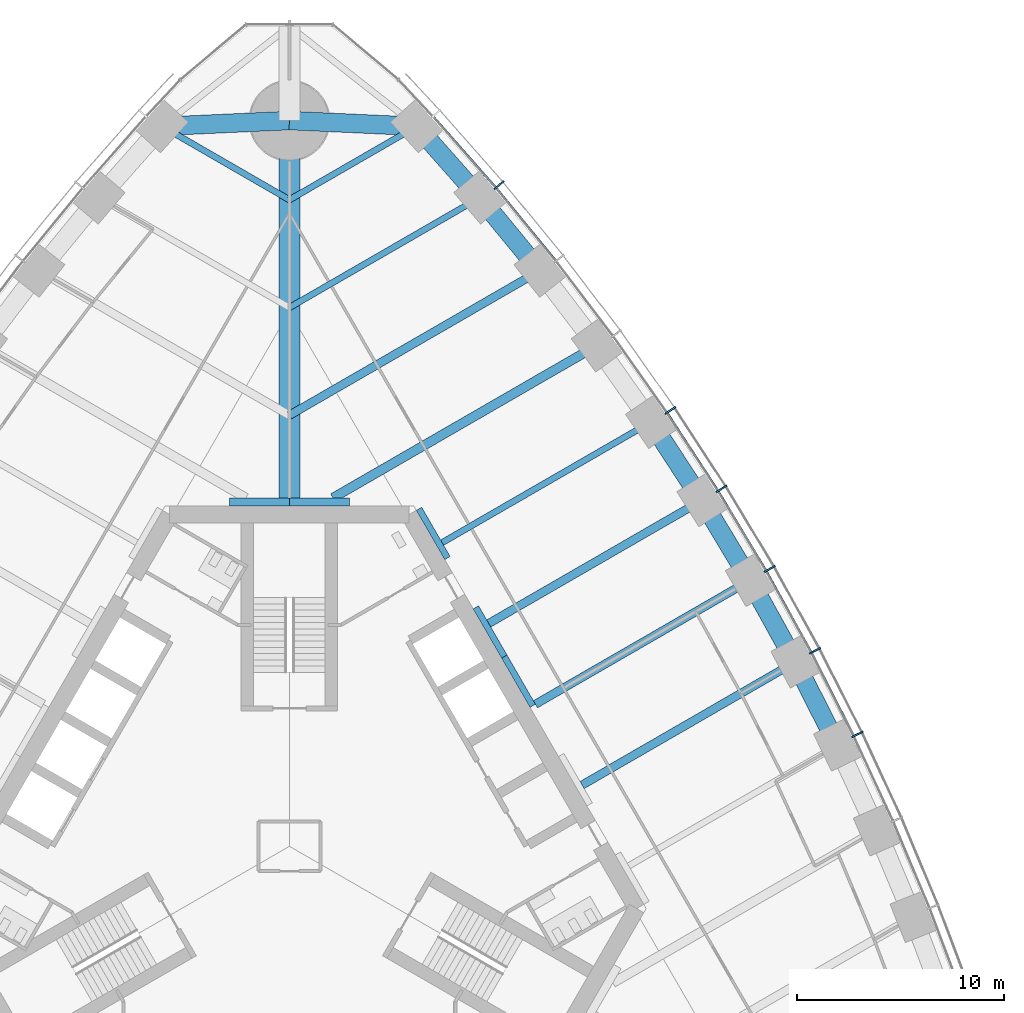
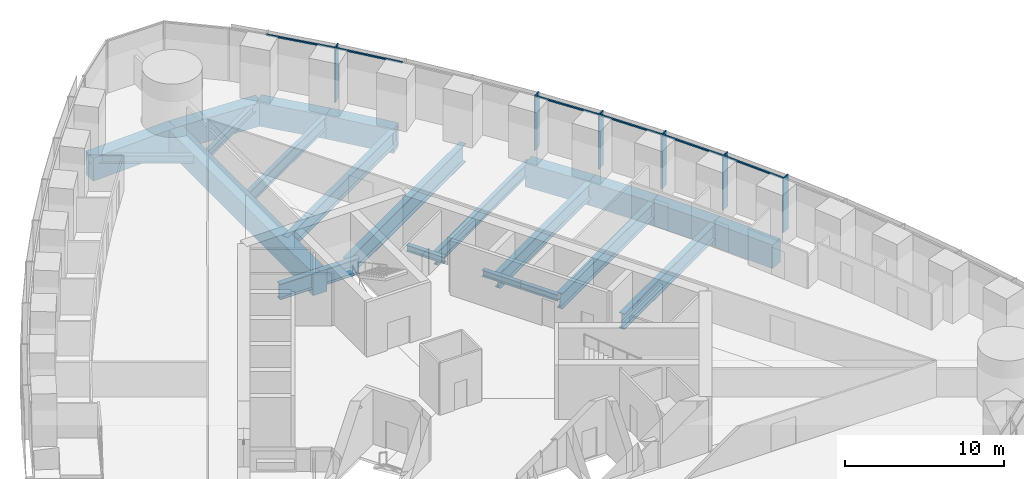
# One storey, part 5 of 18: 23 beams, 12 members, 1 element without a shape of its own.
"""IFC4 building model written with IfcOpenShell, lengths in metres."""

import ifcopenshell
import ifcopenshell.guid

model = None  # the IFC model being written
_history = None  # IfcOwnerHistory: only IFC2X3 demands one
_inside = {}  # id of a spatial element -> (the spatial element, [elements in it])
_under = {}  # id of a project, library or spatial element -> (it, [spatial elements below it])
_declared = {}  # id of a project -> (the project, [libraries it declares])
_typed = {}  # id of a type object -> (the type object, [elements of that type])
_made_of = {}  # id of a material, layer set ... -> (it, [elements and type objects made of it])


def new_model(schema):
    """Start an empty IFC model of exactly this schema.

    Asked for "IFC4X3", IfcOpenShell would pick the latest addendum, in which some entities
    have other attributes; the version numbers below select the first issue.
    IFC2X3 requires an IfcOwnerHistory on every rooted entity: one is made here for all.
    """
    global model, _history
    if schema == "IFC4X3":
        model = ifcopenshell.file(schema_version=(4, 3, 0, 0))
    else:
        model = ifcopenshell.file(schema=schema)
    _inside.clear()
    _under.clear()
    _declared.clear()
    _typed.clear()
    _made_of.clear()
    _history = None
    if model.schema == "IFC2X3":
        org = make("IfcOrganization", Name="unknown")
        user = make(
            "IfcPersonAndOrganization",
            ThePerson=make("IfcPerson", FamilyName="unknown"),
            TheOrganization=org,
        )
        app = make(
            "IfcApplication",
            ApplicationDeveloper=org,
            Version="unknown",
            ApplicationFullName="unknown",
            ApplicationIdentifier="unknown",
        )
        _history = make(
            "IfcOwnerHistory",
            OwningUser=user,
            OwningApplication=app,
            ChangeAction="ADDED",
            CreationDate=0,
        )
    return model


def make(cls, **values):
    """One entity of the class cls with the attributes given. An attribute that is None is left unset."""
    return model.create_entity(
        cls, **{name: value for name, value in values.items() if value is not None}
    )


def rooted(cls, **values):
    """An entity with a GlobalId (a new one), such as an element, a storey or a relation."""
    return make(cls, GlobalId=ifcopenshell.guid.new(), OwnerHistory=_history, **values)


def si_unit(unit_type, name, prefix=None):
    """IfcSIUnit, for example si_unit("LENGTHUNIT", "METRE", prefix="MILLI")."""
    return make("IfcSIUnit", UnitType=unit_type, Prefix=prefix, Name=name)


def assignment(units):
    """IfcUnitAssignment: the units of a project."""
    return None if units is None else make("IfcUnitAssignment", Units=units)


def point(xyz):
    """IfcCartesianPoint."""
    return None if xyz is None else make("IfcCartesianPoint", Coordinates=xyz)


def direction(xyz):
    """IfcDirection."""
    return None if xyz is None else make("IfcDirection", DirectionRatios=xyz)


def frame(location, z_axis=None, x_axis=None):
    """IfcAxis2Placement3D, a coordinate frame: its origin and axes. An axis left out is left unset."""
    return make(
        "IfcAxis2Placement3D",
        Location=point(location),
        Axis=direction(z_axis),
        RefDirection=direction(x_axis),
    )


def frame_2d(location, x_axis=None):
    """IfcAxis2Placement2D, a coordinate frame in the plane: its origin and x axis."""
    return make(
        "IfcAxis2Placement2D", Location=point(location), RefDirection=direction(x_axis)
    )


def origin():
    """The frame at (0, 0, 0) with its axes left unset."""
    return frame((0.0, 0.0, 0.0))


def origin_2d():
    """The frame at (0, 0) in the plane with its x axis left unset."""
    return frame_2d((0.0, 0.0))


def place(relative_to, where):
    """IfcLocalPlacement: puts the frame where relative to a parent placement (None: the world)."""
    return make(
        "IfcLocalPlacement", PlacementRelTo=relative_to, RelativePlacement=where
    )


def context(
    kind, dimensions, precision=None, world=None, true_north=None, identifier=None
):
    """IfcGeometricRepresentationContext, for example the 3D "Model" context."""
    return make(
        "IfcGeometricRepresentationContext",
        ContextIdentifier=identifier,
        ContextType=kind,
        CoordinateSpaceDimension=dimensions,
        Precision=precision,
        WorldCoordinateSystem=world,
        TrueNorth=true_north,
    )


def subcontext(parent, identifier, kind, view, scale=None):
    """IfcGeometricRepresentationSubContext, for example "Body" below "Model"."""
    return make(
        "IfcGeometricRepresentationSubContext",
        ContextIdentifier=identifier,
        ContextType=kind,
        ParentContext=parent,
        TargetScale=scale,
        TargetView=view,
    )


def project(units=None, contexts=None):
    """IfcProject with its units and contexts."""
    return rooted(
        "IfcProject",
        Name="project",
        RepresentationContexts=contexts,
        UnitsInContext=assignment(units),
    )


def spatial(cls, under=None, at=None, **own):
    """A site, building, storey or space (cls), placed at a placement, below another one or the project."""
    s = rooted(cls, ObjectPlacement=at, **own)
    if under is not None:
        _under.setdefault(under.id(), (under, []))[1].append(s)
    return s


def profile(cls, at=None, kind="AREA", **sizes):
    """A parametric profile (cls). Its sizes go by their IFC names, for example OverallWidth=200.0."""
    return make(cls, ProfileType=kind, Position=at, **sizes)


def rectangle(**sizes):
    """IfcRectangleProfileDef."""
    return profile("IfcRectangleProfileDef", **sizes)


def i_section(**sizes):
    """IfcIShapeProfileDef."""
    return profile("IfcIShapeProfileDef", **sizes)


def extrude(swept, where, along, depth):
    """IfcExtrudedAreaSolid: the profile swept, set in the frame where, extruded along a direction by depth."""
    return make(
        "IfcExtrudedAreaSolid",
        SweptArea=swept,
        Position=where,
        ExtrudedDirection=direction(along),
        Depth=depth,
    )


def shape(context_of_items, identifier, shape_type, items):
    """IfcShapeRepresentation: the items that make up one representation, for example the "Body"."""
    return make(
        "IfcShapeRepresentation",
        ContextOfItems=context_of_items,
        RepresentationIdentifier=identifier,
        RepresentationType=shape_type,
        Items=items,
    )


def material(Name=None, Category=None):
    """IfcMaterial."""
    return make("IfcMaterial", Name=Name, Category=Category)


def material_profile(
    of_material, cross_section, Name=None, Category=None, Priority=None
):
    """IfcMaterialProfile: a cross section and its material."""
    return make(
        "IfcMaterialProfile",
        Name=Name,
        Material=of_material,
        Profile=cross_section,
        Priority=Priority,
        Category=Category,
    )


def profile_set(profiles, Name=None, composite=None):
    """IfcMaterialProfileSet."""
    return make(
        "IfcMaterialProfileSet",
        Name=Name,
        MaterialProfiles=profiles,
        CompositeProfile=composite,
    )


def made_of(thing, what):
    """Note that an element or type object is made of a material, layer set ...; save() writes the relation."""
    if what is not None:
        _made_of.setdefault(what.id(), (what, []))[1].append(thing)
    return thing


def type_object(cls, material=None, **own):
    """A type object (cls), such as IfcWallType, which elements share."""
    return made_of(rooted(cls, **own), material)


def element(
    cls,
    number,
    at=None,
    inside=None,
    cuts=None,
    type_object=None,
    material=None,
    context=None,
    identifier="Body",
    shape_type=None,
    held_by="IfcProductDefinitionShape",
    body=None,
    shapes=None,
    **own,
):
    """One element of the class cls, such as IfcWall. Its Tag is "e" and its number.

    at: its placement. inside: the storey or other place that contains it. cuts: it is an
    opening in that element (IfcRelVoidsElement). A single representation is given by context,
    identifier, shape_type and body (its items); several are given by shapes. held_by: the class
    of the entity that holds the representations. save() writes the other relations.
    """
    e = rooted(cls, Tag="e%d" % number, ObjectPlacement=at, **own)
    if body is not None:
        shapes = [shape(context, identifier, shape_type, body)]
    if shapes is not None:
        e.Representation = make(held_by, Representations=shapes)
    if inside is not None:
        _inside.setdefault(inside.id(), (inside, []))[1].append(e)
    if cuts is not None:
        rooted(
            "IfcRelVoidsElement", RelatingBuildingElement=cuts, RelatedOpeningElement=e
        )
    if type_object is not None:
        _typed.setdefault(type_object.id(), (type_object, []))[1].append(e)
    return made_of(e, material)


def aggregate(whole, parts):
    """IfcRelAggregates: a whole, such as a stair, and the parts it consists of."""
    return rooted("IfcRelAggregates", RelatingObject=whole, RelatedObjects=parts)


def save(model, path):
    """Write the relations noted so far, then the file.

    IfcRelAggregates (storeys below a building ...), IfcRelContainedInSpatialStructure (elements
    in a storey), IfcRelDefinesByType, IfcRelAssociatesMaterial and IfcRelDeclares: one each for
    every whole, place, type object, material and project.
    """
    for whole, parts in _under.values():
        aggregate(whole, parts)
    for where, things in _inside.values():
        rooted(
            "IfcRelContainedInSpatialStructure",
            RelatedElements=things,
            RelatingStructure=where,
        )
    for kind, things in _typed.values():
        rooted("IfcRelDefinesByType", RelatedObjects=things, RelatingType=kind)
    for what, things in _made_of.values():
        rooted("IfcRelAssociatesMaterial", RelatedObjects=things, RelatingMaterial=what)
    for by, libraries in _declared.values():
        rooted("IfcRelDeclares", RelatingContext=by, RelatedDefinitions=libraries)
    model.write(path)


model = new_model("IFC4")

# Units and contexts
model_context = context("Model", 3, precision=1e-05, world=origin(), true_north=direction((0.0, 1.0)))
body_context = subcontext(model_context, "Body", "Model", "MODEL_VIEW")
ifc_project = project(units=[si_unit("LENGTHUNIT", "METRE"), si_unit("AREAUNIT", "SQUARE_METRE"), si_unit("VOLUMEUNIT", "CUBIC_METRE"), si_unit("PLANEANGLEUNIT", "RADIAN"), si_unit("MASSUNIT", "GRAM", prefix="KILO")], contexts=[model_context])

# Site, building, storey
site_placement = place(None, origin())
site = spatial("IfcSite", under=ifc_project, at=site_placement, CompositionType="ELEMENT")
building_placement = place(site_placement, origin())
building = spatial("IfcBuilding", under=site, at=building_placement, Name="Trefoil Bronze Tower", CompositionType="ELEMENT")
storey_placement = place(building_placement, frame((0.0, 0.0, 161.89990234375)))
storey = spatial("IfcBuildingStorey", under=building, at=storey_placement, Name="L37", CompositionType="ELEMENT", Elevation=161.89990234375)

# Curtain wall, members
ifc_material_1 = material(Name="Tinted solar-control glass", Category="glass")
curtain_wall_type = type_object("IfcCurtainWallType", Name="Bronze office curtain wall", PredefinedType="USERDEFINED", material=ifc_material_1)
curtain_wall_placement = place(storey_placement, origin())
curtain_wall = element("IfcCurtainWall", 1, at=curtain_wall_placement, inside=storey, type_object=curtain_wall_type, Name="CW-A L37 F2", ObjectType="CURTAIN WALL", PredefinedType="USERDEFINED")
ifc_material_2 = material(Name="Bronze-finish aluminium", Category="aluminium")
ifc_material_profile_1 = material_profile(ifc_material_2, rectangle(XDim=0.60009765625, YDim=0.080078125, at=origin_2d()), Name="CW-A mullion")
ifc_profile_set_1 = profile_set([ifc_material_profile_1], Name="Bronze-finish aluminium")
member_type_1 = type_object("IfcMemberType", Name="Bronze office curtain wall mullion", PredefinedType="MULLION", material=ifc_profile_set_1)
member_1_placement = place(storey_placement, frame((27.394775390625, 5.399169921875, 0.0), z_axis=(0.0, 0.0, 1.0), x_axis=(-0.899819602033, -0.436262173236, 0.0)))
member_1 = element("IfcMember", 2, at=member_1_placement, type_object=member_type_1, Name="CW-A L37 F2 mullion 6", PredefinedType="MULLION", context=body_context, shape_type="SweptSolid", body=[
    extrude(rectangle(XDim=0.60009765625, YDim=0.080078125, at=origin_2d()), origin(), (0.0, 0.0, 1.0), 4.18017578125),
])
member_2_placement = place(storey_placement, frame((25.350830078125, 9.427734375, 0.0), z_axis=(0.0, 0.0, 1.0), x_axis=(-0.883486441467, -0.468456729853, 0.0)))
member_2 = element("IfcMember", 3, at=member_2_placement, type_object=member_type_1, Name="CW-A L37 F2 mullion 7", PredefinedType="MULLION", context=body_context, shape_type="SweptSolid", body=[
    extrude(rectangle(XDim=0.60009765625, YDim=0.080078125, at=origin_2d()), origin(), (0.0, 0.0, 1.0), 4.18017578125),
])
member_3_placement = place(storey_placement, frame((23.166015625, 13.374755859375, 0.0), z_axis=(0.0, 0.0, 1.0), x_axis=(-0.866025403784, -0.5, 0.0)))
member_3 = element("IfcMember", 4, at=member_3_placement, type_object=member_type_1, Name="CW-A L37 F2 mullion 8", PredefinedType="MULLION", context=body_context, shape_type="SweptSolid", body=[
    extrude(rectangle(XDim=0.60009765625, YDim=0.080078125, at=origin_2d()), origin(), (0.0, 0.0, 1.0), 4.18017578125),
])
member_4_placement = place(storey_placement, frame((20.840087890625, 17.24072265625, 0.0), z_axis=(0.0, 0.0, 1.0), x_axis=(-0.84743864936, -0.530893337283, 0.0)))
member_4 = element("IfcMember", 5, at=member_4_placement, type_object=member_type_1, Name="CW-A L37 F2 mullion 9", PredefinedType="MULLION", context=body_context, shape_type="SweptSolid", body=[
    extrude(rectangle(XDim=0.60009765625, YDim=0.080078125, at=origin_2d()), origin(), (0.0, 0.0, 1.0), 4.18017578125),
])
member_5_placement = place(storey_placement, frame((18.373046875, 21.025146484375, 0.0), z_axis=(0.0, 0.0, 1.0), x_axis=(-0.827723925749, -0.561135547566, 0.0)))
member_5 = element("IfcMember", 6, at=member_5_placement, type_object=member_type_1, Name="CW-A L37 F2 mullion 10", PredefinedType="MULLION", context=body_context, shape_type="SweptSolid", body=[
    extrude(rectangle(XDim=0.60009765625, YDim=0.080078125, at=origin_2d()), origin(), (0.0, 0.0, 1.0), 4.18017578125),
])
member_6_placement = place(storey_placement, frame((10.11474609375, 31.8828125, 0.0), z_axis=(0.0, 0.0, 1.0), x_axis=(-0.761721651066, -0.647904411389, 0.0)))
member_6 = element("IfcMember", 7, at=member_6_placement, type_object=member_type_1, Name="CW-A L37 F2 mullion 13", PredefinedType="MULLION", context=body_context, shape_type="SweptSolid", body=[
    extrude(rectangle(XDim=0.60009765625, YDim=0.080078125, at=origin_2d()), origin(), (0.0, 0.0, 1.0), 4.18017578125),
])
ifc_material_3 = material(Name="Bronze-finish aluminium", Category="aluminium")
ifc_material_profile_2 = material_profile(ifc_material_3, rectangle(XDim=0.1201171875, YDim=0.10009765625, at=origin_2d()), Name="CW-A transom")
ifc_profile_set_2 = profile_set([ifc_material_profile_2], Name="Bronze-finish aluminium")
member_type_2 = type_object("IfcMemberType", Name="Bronze office curtain wall transom", PredefinedType="USERDEFINED", material=ifc_profile_set_2)
member_7_placement = place(storey_placement, frame((27.196044921875, 5.34912109375, 4.130126953125), z_axis=(-0.452478489814, 0.891775317138, 0.0), x_axis=(-0.891775317138, -0.452478489814, 0.0)))
member_7 = element("IfcMember", 8, at=member_7_placement, type_object=member_type_2, Name="CW-A L37 F2 transom 6", ObjectType="TRANSOM", PredefinedType="USERDEFINED", context=body_context, shape_type="SweptSolid", body=[
    extrude(rectangle(XDim=0.1201171875, YDim=0.10009765625, at=origin_2d()), origin(), (0.0, 0.0, 1.0), 4.426513671875),
])
member_8_placement = place(storey_placement, frame((25.154052734375, 9.37060546875, 4.130126953125), z_axis=(-0.484329470343, 0.874885686337, 0.0), x_axis=(-0.874885686337, -0.484329470343, 0.0)))
member_8 = element("IfcMember", 9, at=member_8_placement, type_object=member_type_2, Name="CW-A L37 F2 transom 7", ObjectType="TRANSOM", PredefinedType="USERDEFINED", context=body_context, shape_type="SweptSolid", body=[
    extrude(rectangle(XDim=0.1201171875, YDim=0.10009765625, at=origin_2d()), origin(), (0.0, 0.0, 1.0), 4.4208984375),
])
member_9_placement = place(storey_placement, frame((22.97119140625, 13.310546875, 4.130126953125), z_axis=(-0.515526794174, 0.856873458854, 0.0), x_axis=(-0.856873458854, -0.515526794174, 0.0)))
member_9 = element("IfcMember", 10, at=member_9_placement, type_object=member_type_2, Name="CW-A L37 F2 transom 8", ObjectType="TRANSOM", PredefinedType="USERDEFINED", context=body_context, shape_type="SweptSolid", body=[
    extrude(rectangle(XDim=0.1201171875, YDim=0.10009765625, at=origin_2d()), origin(), (0.0, 0.0, 1.0), 4.4208984375),
])
member_10_placement = place(storey_placement, frame((20.647705078125, 17.16943359375, 4.130126953125), z_axis=(-0.546079336226, 0.837733465099, 0.0), x_axis=(-0.837733465099, -0.546079336226, 0.0)))
member_10 = element("IfcMember", 11, at=member_10_placement, type_object=member_type_2, Name="CW-A L37 F2 transom 9", ObjectType="TRANSOM", PredefinedType="USERDEFINED", context=body_context, shape_type="SweptSolid", body=[
    extrude(rectangle(XDim=0.1201171875, YDim=0.10009765625, at=origin_2d()), origin(), (0.0, 0.0, 1.0), 4.426513671875),
])
member_11_placement = place(storey_placement, frame((12.82861328125, 28.255615234375, 4.130126953125), z_axis=(-0.633848872297, 0.773456919995, 0.0), x_axis=(-0.773456919995, -0.633848872297, 0.0)))
member_11 = element("IfcMember", 12, at=member_11_placement, type_object=member_type_2, Name="CW-A L37 F2 transom 12", ObjectType="TRANSOM", PredefinedType="USERDEFINED", context=body_context, shape_type="SweptSolid", body=[
    extrude(rectangle(XDim=0.1201171875, YDim=0.10009765625, at=origin_2d()), origin(), (0.0, 0.0, 1.0), 4.480224609375),
])
member_12_placement = place(storey_placement, frame((9.9345703125, 31.78466796875, 4.130126953125), z_axis=(-0.66173618877, 0.749736764786, 0.0), x_axis=(-0.749736764786, -0.66173618877, 0.0)))
member_12 = element("IfcMember", 13, at=member_12_placement, type_object=member_type_2, Name="CW-A L37 F2 transom 13", ObjectType="TRANSOM", PredefinedType="USERDEFINED", context=body_context, shape_type="SweptSolid", body=[
    extrude(rectangle(XDim=0.1201171875, YDim=0.10009765625, at=origin_2d()), origin(), (0.0, 0.0, 1.0), 4.510986328125),
])
aggregate(curtain_wall, [member_1, member_2, member_3, member_4, member_5, member_6, member_7, member_8, member_9, member_10, member_11, member_12])

# Beams
ifc_material_4 = material(Name="Steel C355", Category="steel")
ifc_material_profile_3 = material_profile(ifc_material_4, i_section(OverallWidth=0.300048828125, OverallDepth=0.5, WebThickness=0.014404296875, FlangeThickness=0.028076171875, FilletRadius=0.027099609375, at=origin_2d()), Name="HEB 500")
ifc_profile_set_3 = profile_set([ifc_material_profile_3], Name="Steel C355")
beam_type_1 = type_object("IfcBeamType", Name="Core seat beam HEB 500", PredefinedType="BEAM", material=ifc_profile_set_3)
for number, where, z_axis, x_axis, name in (
    (14, (11.734619140625, 6.77490234375, -0.449951171875), (-0.499969057507, 0.866043267704, 0.0), (-0.866043267704, -0.499969057507, 0.0), "Core seat beam F2/+0 L37"),
    (15, (10.363525390625, 9.14990234375, -0.449951171875), (-0.500035825175, 0.866004719122, 0.0), (-0.866004719122, -0.500035825175, 0.0), "Core seat beam F2/+1 L37"),
    (16, (7.62109375, 13.89990234375, -0.449951171875), (-0.500035825175, 0.866004719122, 0.0), (-0.866004719122, -0.500035825175, 0.0), "Core seat beam F2/+2 L37"),
):
    element("IfcBeam", number, at=place(storey_placement, frame(where, z_axis=z_axis, x_axis=x_axis)), inside=storey, type_object=beam_type_1, Name=name, PredefinedType="BEAM", context=body_context, shape_type="SweptSolid", body=[
        extrude(i_section(OverallWidth=0.300048828125, OverallDepth=0.5, WebThickness=0.014404296875, FlangeThickness=0.028076171875, FilletRadius=0.027099609375, at=origin_2d()), origin(), (0.0, 0.0, 1.0), 2.742431640625),
    ])
ifc_material_5 = material(Name="Steel C355", Category="steel")
ifc_material_profile_4 = material_profile(ifc_material_5, i_section(OverallWidth=0.39990234375, OverallDepth=1.199951171875, WebThickness=0.02001953125, FlangeThickness=0.0400390625, FilletRadius=0.010009765625, at=origin_2d()), Name="WPG 1200")
ifc_profile_set_4 = profile_set([ifc_material_profile_4], Name="Steel C355")
beam_type_2 = type_object("IfcBeamType", Name="Core seat beam WPG 1200", PredefinedType="BEAM", material=ifc_profile_set_4)
for number, where, z_axis, x_axis, name in (
    (17, (2.88671875, 16.60009765625, -0.7998046875), (-1.0, 0.0, 0.0), (0.0, -1.0, 0.0), "Core seat beam F2/+3 L37"),
    (18, (0.0, 16.60009765625, -0.7998046875), (-1.0, 0.0, 0.0), (0.0, -1.0, 0.0), "Core seat beam F3/-3 L37"),
):
    element("IfcBeam", number, at=place(storey_placement, frame(where, z_axis=z_axis, x_axis=x_axis)), inside=storey, type_object=beam_type_2, Name=name, PredefinedType="BEAM", context=body_context, shape_type="SweptSolid", body=[
        extrude(i_section(OverallWidth=0.39990234375, OverallDepth=1.199951171875, WebThickness=0.02001953125, FlangeThickness=0.0400390625, FilletRadius=0.010009765625, at=origin_2d()), origin(), (0.0, 0.0, 1.0), 2.88671875),
    ])
ifc_material_6 = material(Name="Concrete B80", Category="concrete")
ifc_material_profile_5 = material_profile(ifc_material_6, rectangle(XDim=1.0, YDim=1.699951171875, at=origin_2d()), Name="RC 1000x1700")
ifc_profile_set_5 = profile_set([ifc_material_profile_5], Name="Concrete B80")
beam_type_3 = type_object("IfcBeamType", Name="Corner girder RC 1000x1700", PredefinedType="BEAM", material=ifc_profile_set_5)
beam_1_placement = place(storey_placement, frame((0.0, 16.39990234375, -1.0498046875), z_axis=(0.0, 1.0, 0.0), x_axis=(-1.0, 0.0, 0.0)))
element("IfcBeam", 19, at=beam_1_placement, inside=storey, type_object=beam_type_3, Name="Corner girder K2 L37", PredefinedType="BEAM", context=body_context, shape_type="SweptSolid", body=[
    extrude(rectangle(XDim=1.0, YDim=1.699951171875, at=origin_2d()), origin(), (0.0, 0.0, 1.0), 18.60009765625),
])
ifc_material_7 = material(Name="Concrete B80", Category="concrete")
ifc_material_profile_6 = material_profile(ifc_material_7, rectangle(XDim=0.89990234375, YDim=1.800048828125, at=origin_2d()), Name="RC 900x1800")
ifc_profile_set_6 = profile_set([ifc_material_profile_6], Name="Concrete B80")
beam_type_4 = type_object("IfcBeamType", Name="End spandrel beam RC 900x1800", PredefinedType="SPANDREL", material=ifc_profile_set_6)
for number, where, z_axis, x_axis, name in (
    (20, (6.13916015625, 34.72119140625, -1.099853515625), (-0.998970341464, 0.045368015985, 0.0), (-0.045368015985, -0.998970341464, 0.0), "Spandrel F2.14 L37"),
    (21, (0.0, 35.0, -1.099853515625), (-0.998970341464, -0.045368015985, 0.0), (0.045368015985, -0.998970341464, 0.0), "Spandrel F3.1 L37"),
):
    element("IfcBeam", number, at=place(storey_placement, frame(where, z_axis=z_axis, x_axis=x_axis)), inside=storey, type_object=beam_type_4, Name=name, PredefinedType="SPANDREL", context=body_context, shape_type="SweptSolid", body=[
        extrude(rectangle(XDim=0.89990234375, YDim=1.800048828125, at=origin_2d()), origin(), (0.0, 0.0, 1.0), 6.1455078125),
    ])
ifc_material_8 = material(Name="Steel C355", Category="steel")
ifc_material_profile_7 = material_profile(ifc_material_8, i_section(OverallWidth=0.300048828125, OverallDepth=1.0, WebThickness=0.01904296875, FlangeThickness=0.035888671875, FilletRadius=0.030029296875, at=origin_2d()), Name="HEB 1000")
ifc_profile_set_7 = profile_set([ifc_material_profile_7], Name="Steel C355")
beam_type_5 = type_object("IfcBeamType", Name="Floor beam HEB 1000", PredefinedType="BEAM", material=ifc_profile_set_7)
beam_2_placement = place(storey_placement, frame((9.181884765625, 31.281982421875, -0.699951171875), z_axis=(-0.866021079084, -0.500007490527, 0.0), x_axis=(0.500007490527, -0.866021079084, 0.0)))
element("IfcBeam", 22, at=beam_2_placement, inside=storey, type_object=beam_type_5, Name="Floor beam F2/+5 L37", PredefinedType="BEAM", context=body_context, shape_type="SweptSolid", body=[
    extrude(i_section(OverallWidth=0.300048828125, OverallDepth=1.0, WebThickness=0.01904296875, FlangeThickness=0.035888671875, FilletRadius=0.030029296875, at=origin_2d()), origin(), (0.0, 0.0, 1.0), 10.602294921875),
])
ifc_material_9 = material(Name="Steel C355", Category="steel")
ifc_material_profile_8 = material_profile(ifc_material_9, i_section(OverallWidth=0.300048828125, OverallDepth=0.60009765625, WebThickness=0.015380859375, FlangeThickness=0.030029296875, FilletRadius=0.027099609375, at=origin_2d()), Name="HEB 600")
ifc_profile_set_8 = profile_set([ifc_material_profile_8], Name="Steel C355")
beam_type_6 = type_object("IfcBeamType", Name="Floor beam HEB 600", PredefinedType="BEAM", material=ifc_profile_set_8)
for number, where, z_axis, x_axis, name in (
    (23, (6.13916015625, 34.72119140625, -0.5), (-0.866041060244, -0.499972881236, 0.0), (0.499972881236, -0.866041060244, 0.0), "Floor beam F2/+6 L37"),
    (24, (-6.13916015625, 34.72119140625, -0.5), (0.866041060244, -0.499972881236, 0.0), (0.499972881236, 0.866041060244, 0.0), "Floor beam F3/-6 L37"),
):
    element("IfcBeam", number, at=place(storey_placement, frame(where, z_axis=z_axis, x_axis=x_axis)), inside=storey, type_object=beam_type_6, Name=name, PredefinedType="BEAM", context=body_context, shape_type="SweptSolid", body=[
        extrude(i_section(OverallWidth=0.300048828125, OverallDepth=0.60009765625, WebThickness=0.015380859375, FlangeThickness=0.030029296875, FilletRadius=0.027099609375, at=origin_2d()), origin(), (0.0, 0.0, 1.0), 7.0888671875),
    ])
ifc_material_10 = material(Name="Steel C355", Category="steel")
ifc_material_profile_9 = material_profile(ifc_material_10, i_section(OverallWidth=0.302001953125, OverallDepth=1.008056640625, WebThickness=0.02099609375, FlangeThickness=0.0400390625, FilletRadius=0.030029296875, at=origin_2d()), Name="HEM 1000")
ifc_profile_set_9 = profile_set([ifc_material_profile_9], Name="Steel C355")
beam_type_7 = type_object("IfcBeamType", Name="Floor beam HEM 1000", PredefinedType="BEAM", material=ifc_profile_set_9)
beam_3_placement = place(storey_placement, frame((17.43017578125, 20.45556640625, -0.703857421875), z_axis=(-0.866030626868, -0.499990953245, 0.0), x_axis=(0.499990953245, -0.866030626868, 0.0)))
element("IfcBeam", 25, at=beam_3_placement, inside=storey, type_object=beam_type_7, Name="Floor beam F2/+2 L37", PredefinedType="BEAM", context=body_context, shape_type="SweptSolid", body=[
    extrude(i_section(OverallWidth=0.302001953125, OverallDepth=1.008056640625, WebThickness=0.02099609375, FlangeThickness=0.0400390625, FilletRadius=0.030029296875, at=origin_2d()), origin(), (0.0, 0.0, 1.0), 11.622802734375),
])
ifc_material_11 = material(Name="Steel C355", Category="steel")
ifc_material_profile_10 = material_profile(ifc_material_11, i_section(OverallWidth=0.39990234375, OverallDepth=1.199951171875, WebThickness=0.02001953125, FlangeThickness=0.0400390625, FilletRadius=0.010009765625, at=origin_2d()), Name="WPG 1200")
ifc_profile_set_10 = profile_set([ifc_material_profile_10], Name="Steel C355")
beam_type_8 = type_object("IfcBeamType", Name="Floor beam WPG 1200", PredefinedType="BEAM", material=ifc_profile_set_10)
beam_4_placement = place(storey_placement, frame((24.392578125, 8.886962890625, -0.7998046875), z_axis=(-0.866024236736, -0.500002021381, 0.0), x_axis=(0.500002021381, -0.866024236736, 0.0)))
element("IfcBeam", 26, at=beam_4_placement, inside=storey, type_object=beam_type_8, Name="Floor beam F2/-1 L37", PredefinedType="BEAM", context=body_context, shape_type="SweptSolid", body=[
    extrude(i_section(OverallWidth=0.39990234375, OverallDepth=1.199951171875, WebThickness=0.02001953125, FlangeThickness=0.0400390625, FilletRadius=0.010009765625, at=origin_2d()), origin(), (0.0, 0.0, 1.0), 11.8681640625),
])
beam_5_placement = place(storey_placement, frame((22.21337890625, 12.824951171875, -0.7998046875), z_axis=(-0.866028062731, -0.499995394541, 0.0), x_axis=(0.499995394541, -0.866028062731, 0.0)))
element("IfcBeam", 27, at=beam_5_placement, inside=storey, type_object=beam_type_8, Name="Floor beam F2/+0 L37", PredefinedType="BEAM", context=body_context, shape_type="SweptSolid", body=[
    extrude(i_section(OverallWidth=0.39990234375, OverallDepth=1.199951171875, WebThickness=0.02001953125, FlangeThickness=0.0400390625, FilletRadius=0.010009765625, at=origin_2d()), origin(), (0.0, 0.0, 1.0), 11.94970703125),
])
beam_6_placement = place(storey_placement, frame((19.892578125, 16.68115234375, -0.7998046875), z_axis=(-0.866024236736, -0.500002021381, 0.0), x_axis=(0.500002021381, -0.866024236736, 0.0)))
element("IfcBeam", 28, at=beam_6_placement, inside=storey, type_object=beam_type_8, Name="Floor beam F2/+1 L37", PredefinedType="BEAM", context=body_context, shape_type="SweptSolid", body=[
    extrude(i_section(OverallWidth=0.39990234375, OverallDepth=1.199951171875, WebThickness=0.02001953125, FlangeThickness=0.0400390625, FilletRadius=0.010009765625, at=origin_2d()), origin(), (0.0, 0.0, 1.0), 11.8681640625),
])
beam_7_placement = place(storey_placement, frame((12.07666015625, 27.757080078125, -0.7998046875), z_axis=(-0.866026983775, -0.499997263366, 0.0), x_axis=(0.499997263366, -0.866026983775, 0.0)))
element("IfcBeam", 29, at=beam_7_placement, inside=storey, type_object=beam_type_8, Name="Floor beam F2/+4 L37", PredefinedType="BEAM", context=body_context, shape_type="SweptSolid", body=[
    extrude(i_section(OverallWidth=0.39990234375, OverallDepth=1.199951171875, WebThickness=0.02001953125, FlangeThickness=0.0400390625, FilletRadius=0.010009765625, at=origin_2d()), origin(), (0.0, 0.0, 1.0), 13.94482421875),
])
ifc_material_12 = material(Name="Steel C355", Category="steel")
ifc_material_profile_11 = material_profile(ifc_material_12, i_section(OverallWidth=0.449951171875, OverallDepth=1.39990234375, WebThickness=0.02294921875, FlangeThickness=0.044921875, FilletRadius=0.011962890625, at=origin_2d()), Name="WPG 1400")
ifc_profile_set_11 = profile_set([ifc_material_profile_11], Name="Steel C355")
beam_type_9 = type_object("IfcBeamType", Name="Floor beam WPG 1400", PredefinedType="BEAM", material=ifc_profile_set_11)
beam_8_placement = place(storey_placement, frame((14.825439453125, 24.14794921875, -0.89990234375), z_axis=(-0.866027342682, -0.499996641717, 0.0), x_axis=(0.499996641717, -0.866027342682, 0.0)))
element("IfcBeam", 30, at=beam_8_placement, inside=storey, type_object=beam_type_9, Name="Floor beam F2/+3 L37", PredefinedType="BEAM", context=body_context, shape_type="SweptSolid", body=[
    extrude(i_section(OverallWidth=0.449951171875, OverallDepth=1.39990234375, WebThickness=0.02294921875, FlangeThickness=0.044921875, FilletRadius=0.011962890625, at=origin_2d()), origin(), (0.0, 0.0, 1.0), 14.69580078125),
])
ifc_material_13 = material(Name="Concrete B80", Category="concrete")
ifc_material_profile_12 = material_profile(ifc_material_13, rectangle(XDim=0.89990234375, YDim=1.800048828125, at=origin_2d()), Name="RC 900x1800")
ifc_profile_set_12 = profile_set([ifc_material_profile_12], Name="Concrete B80")
beam_type_10 = type_object("IfcBeamType", Name="Spandrel beam RC 900x1800", PredefinedType="SPANDREL", material=ifc_profile_set_12)
beam_9_placement = place(storey_placement, frame((26.43017578125, 4.8671875, -1.099853515625), z_axis=(-0.452125717735, 0.891954222683, 0.0), x_axis=(-0.891954222683, -0.452125717735, 0.0)))
element("IfcBeam", 31, at=beam_9_placement, inside=storey, type_object=beam_type_10, Name="Spandrel F2.6 L37", PredefinedType="SPANDREL", context=body_context, shape_type="SweptSolid", body=[
    extrude(rectangle(XDim=0.89990234375, YDim=1.800048828125, at=origin_2d()), origin(), (0.0, 0.0, 1.0), 4.506591796875),
])
for number, where, z_axis, x_axis, name in (
    (32, (24.392578125, 8.886962890625, -1.099853515625), (-0.484186866546, 0.874964615436, 0.0), (-0.874964615436, -0.484186866546, 0.0), "Spandrel F2.7 L37"),
    (33, (22.21337890625, 12.824951171875, -1.099853515625), (-0.515651979972, 0.856798129988, 0.0), (-0.856798129988, -0.515651979972, 0.0), "Spandrel F2.8 L37"),
):
    element("IfcBeam", number, at=place(storey_placement, frame(where, z_axis=z_axis, x_axis=x_axis)), inside=storey, type_object=beam_type_10, Name=name, PredefinedType="SPANDREL", context=body_context, shape_type="SweptSolid", body=[
        extrude(rectangle(XDim=0.89990234375, YDim=1.800048828125, at=origin_2d()), origin(), (0.0, 0.0, 1.0), 4.500732421875),
    ])
beam_10_placement = place(storey_placement, frame((19.892578125, 16.68115234375, -1.099853515625), z_axis=(-0.546396670296, 0.83752652417, 0.0), x_axis=(-0.83752652417, -0.546396670296, 0.0)))
element("IfcBeam", 34, at=beam_10_placement, inside=storey, type_object=beam_type_10, Name="Spandrel F2.9 L37", PredefinedType="SPANDREL", context=body_context, shape_type="SweptSolid", body=[
    extrude(rectangle(XDim=0.89990234375, YDim=1.800048828125, at=origin_2d()), origin(), (0.0, 0.0, 1.0), 4.506591796875),
])
beam_11_placement = place(storey_placement, frame((12.07666015625, 27.757080078125, -1.099853515625), z_axis=(-0.634650386838, 0.772799383079, 0.0), x_axis=(-0.772799383079, -0.634650386838, 0.0)))
element("IfcBeam", 35, at=beam_11_placement, inside=storey, type_object=beam_type_10, Name="Spandrel F2.12 L37", PredefinedType="SPANDREL", context=body_context, shape_type="SweptSolid", body=[
    extrude(rectangle(XDim=0.89990234375, YDim=1.800048828125, at=origin_2d()), origin(), (0.0, 0.0, 1.0), 4.561279296875),
])
beam_12_placement = place(storey_placement, frame((9.181884765625, 31.281982421875, -1.099853515625), z_axis=(-0.662616326239, 0.748959013699, 0.0), x_axis=(-0.748959013699, -0.662616326239, 0.0)))
element("IfcBeam", 36, at=beam_12_placement, inside=storey, type_object=beam_type_10, Name="Spandrel F2.13 L37", PredefinedType="SPANDREL", context=body_context, shape_type="SweptSolid", body=[
    extrude(rectangle(XDim=0.89990234375, YDim=1.800048828125, at=origin_2d()), origin(), (0.0, 0.0, 1.0), 4.592041015625),
])

save(model, "model.ifc")
